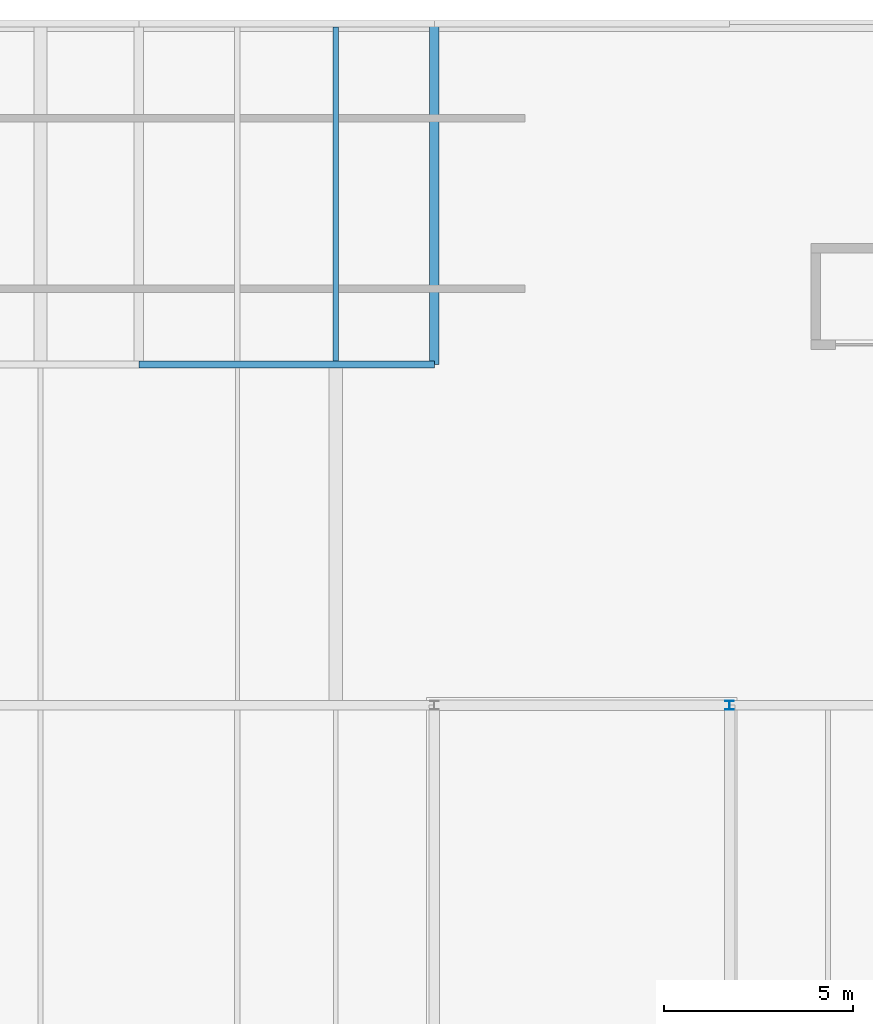
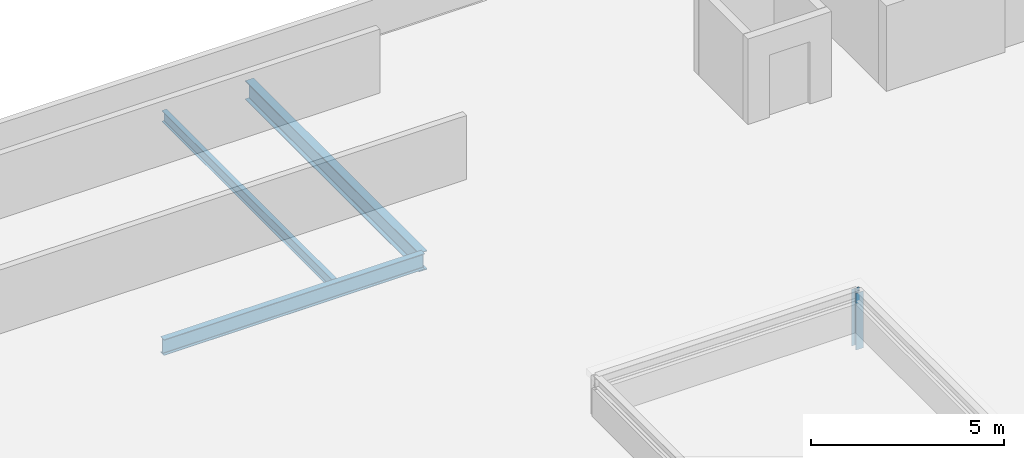
# One storey, part 7 of 9: 3 beams, 1 member.
"""IFC4 building model written with IfcOpenShell, lengths in metres."""

from ifc_helpers import new_model, si_unit, derived_unit, direction, frame, origin, origin_2d, place, context, subcontext, project, spatial, i_section, extrude, material, material_profile, profile_set, type_object, element, save


model = new_model("IFC4")

# Units and contexts
model_context = context("Model", 3, precision=1e-05, world=origin(), true_north=direction((0.0, 1.0)))
body_context = subcontext(model_context, "Body", "Model", "MODEL_VIEW")
ifc_project = project(units=[si_unit("LENGTHUNIT", "METRE"), si_unit("AREAUNIT", "SQUARE_METRE"), si_unit("VOLUMEUNIT", "CUBIC_METRE"), si_unit("PLANEANGLEUNIT", "RADIAN"), si_unit("MASSUNIT", "GRAM", prefix="KILO"), derived_unit("THERMALTRANSMITTANCEUNIT", [(si_unit("POWERUNIT", "WATT"), 1), (si_unit("LENGTHUNIT", "METRE"), -2), (si_unit("THERMODYNAMICTEMPERATUREUNIT", "KELVIN"), -1)])], contexts=[model_context])

# Site, building, storey
site_placement = place(None, origin())
site = spatial("IfcSite", under=ifc_project, at=site_placement, CompositionType="ELEMENT")
building_placement = place(site_placement, origin())
building = spatial("IfcBuilding", under=site, at=building_placement, Name="Nallur Shell Playhouse", CompositionType="ELEMENT")
storey_placement = place(building_placement, frame((0.0, 0.0, 31.199951171875)))
storey = spatial("IfcBuildingStorey", under=building, at=storey_placement, Name="RF2", CompositionType="ELEMENT", Elevation=31.199951171875)

# Beams
ifc_material_1 = material(Name="Steel E250", Category="steel")
ifc_material_profile_1 = material_profile(ifc_material_1, i_section(OverallWidth=0.139892578125, OverallDepth=0.35009765625, WebThickness=0.008056640625, FlangeThickness=0.01416015625, FilletRadius=0.013916015625, at=origin_2d()), Name="ISMB 350")
ifc_profile_set_1 = profile_set([ifc_material_profile_1], Name="Steel E250")
beam_type_1 = type_object("IfcBeamType", Name="BM-JST-ISMB350", PredefinedType="JOIST", material=ifc_profile_set_1)
beam_1_placement = place(storey_placement, frame((77.0, 74.087890625, -0.39501953125), z_axis=(0.0, 1.0, 0.0), x_axis=(-1.0, 0.0, 0.0)))
element("IfcBeam", 1, at=beam_1_placement, inside=storey, type_object=beam_type_1, Name="RF2 secondary joist 9-J-1292", PredefinedType="JOIST", context=body_context, shape_type="SweptSolid", body=[
    extrude(i_section(OverallWidth=0.139892578125, OverallDepth=0.35009765625, WebThickness=0.008056640625, FlangeThickness=0.01416015625, FilletRadius=0.013916015625, at=origin_2d()), origin(), (0.0, 0.0, 1.0), 8.82421875),
])
ifc_material_2 = material(Name="Steel E350", Category="steel")
ifc_material_profile_2 = material_profile(ifc_material_2, i_section(OverallWidth=0.179931640625, OverallDepth=0.5, WebThickness=0.01025390625, FlangeThickness=0.01708984375, FilletRadius=0.01708984375, at=origin_2d()), Name="ISMB 500")
ifc_profile_set_2 = profile_set([ifc_material_profile_2], Name="Steel E350")
beam_type_2 = type_object("IfcBeamType", Name="BM-ST-ISMB500", PredefinedType="BEAM", material=ifc_profile_set_2)
beam_2_placement = place(storey_placement, frame((71.800048828125, 74.0, -0.469970703125), z_axis=(1.0, 0.0, 0.0), x_axis=(0.0, 1.0, 0.0)))
element("IfcBeam", 2, at=beam_2_placement, inside=storey, type_object=beam_type_2, Name="RF2 girder X-J-1256", PredefinedType="BEAM", context=body_context, shape_type="SweptSolid", body=[
    extrude(i_section(OverallWidth=0.179931640625, OverallDepth=0.5, WebThickness=0.01025390625, FlangeThickness=0.01708984375, FilletRadius=0.01708984375, at=origin_2d()), origin(), (0.0, 0.0, 1.0), 7.800048828125),
])
ifc_material_profile_3 = material_profile(ifc_material_2, i_section(OverallWidth=0.25, OverallDepth=0.60009765625, WebThickness=0.01171875, FlangeThickness=0.023681640625, FilletRadius=0.01708984375, at=origin_2d()), Name="ISWB 600")
ifc_profile_set_3 = profile_set([ifc_material_profile_3], Name="Steel E350")
beam_type_3 = type_object("IfcBeamType", Name="BM-ST-ISWB600", PredefinedType="BEAM", material=ifc_profile_set_3)
beam_3_placement = place(storey_placement, frame((79.60009765625, 74.0, -0.52001953125), z_axis=(0.0, 1.0, 0.0), x_axis=(-1.0, 0.0, 0.0)))
element("IfcBeam", 3, at=beam_3_placement, inside=storey, type_object=beam_type_3, Name="RF2 girder Y-10-1267", PredefinedType="BEAM", context=body_context, shape_type="SweptSolid", body=[
    extrude(i_section(OverallWidth=0.25, OverallDepth=0.60009765625, WebThickness=0.01171875, FlangeThickness=0.023681640625, FilletRadius=0.01708984375, at=origin_2d()), origin(), (0.0, 0.0, 1.0), 9.0),
])

# Member
ifc_material_profile_4 = material_profile(ifc_material_2, i_section(OverallWidth=0.22509765625, OverallDepth=0.22509765625, WebThickness=0.008544921875, FlangeThickness=0.009033203125, FilletRadius=0.010009765625, at=origin_2d()), Name="ISHB 225")
ifc_profile_set_4 = profile_set([ifc_material_profile_4], Name="Steel E350")
member_type = type_object("IfcMemberType", Name="MB-TR-POST", PredefinedType="POST", material=ifc_profile_set_4)
member_placement = place(storey_placement, frame((87.39990234375, 65.0, -0.5), z_axis=(0.0, 0.0, 1.0), x_axis=(1.0, 0.0, 0.0)))
element("IfcMember", 4, at=member_placement, inside=storey, type_object=member_type, Name="Smoke lantern corner column 3", PredefinedType="POST", context=body_context, shape_type="SweptSolid", body=[
    extrude(i_section(OverallWidth=0.22509765625, OverallDepth=0.22509765625, WebThickness=0.008544921875, FlangeThickness=0.009033203125, FilletRadius=0.010009765625, at=origin_2d()), origin(), (0.0, 0.0, 1.0), 1.800048828125),
])

save(model, "model.ifc")
